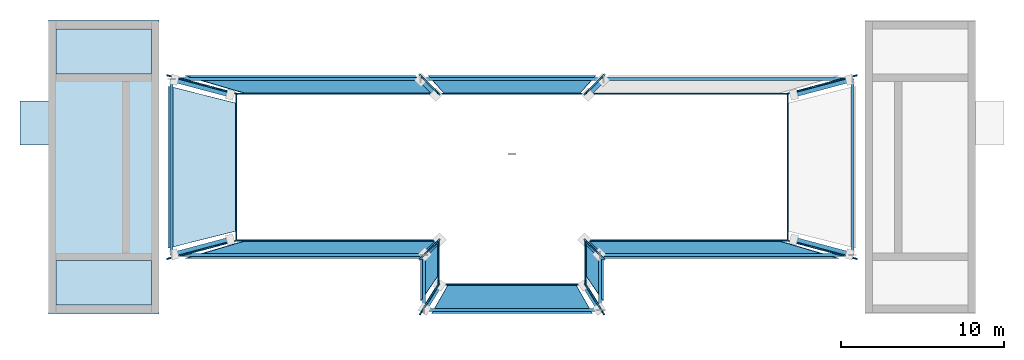
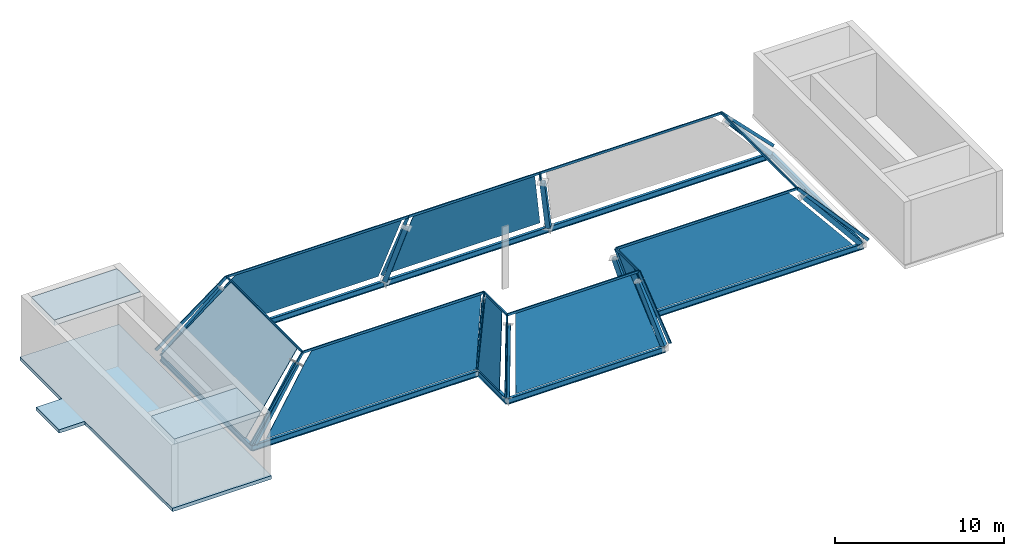
# One storey, part 1 of 5: 30 members, 10 beams, 8 plates, 3 slabs, 10 elements without a shape of their own.
"""IFC4 building model written with IfcOpenShell, lengths in metres."""

from ifc_helpers import new_model, si_unit, direction, frame, origin, origin_2d, place, context, subcontext, project, spatial, polyline, rectangle, hollow_rectangle, i_section, outline, extrude, material, layer, layer_set, material_profile, profile_set, type_object, element, aggregate, save


model = new_model("IFC4")

# Units and contexts
model_context = context("Model", 3, precision=1e-05, world=origin(), true_north=direction((0.0, 1.0)))
body_context = subcontext(model_context, "Body", "Model", "MODEL_VIEW")
ifc_project = project(units=[si_unit("LENGTHUNIT", "METRE"), si_unit("AREAUNIT", "SQUARE_METRE"), si_unit("VOLUMEUNIT", "CUBIC_METRE"), si_unit("PLANEANGLEUNIT", "RADIAN"), si_unit("MASSUNIT", "GRAM", prefix="KILO")], contexts=[model_context])

# Site, building, storey
site_placement = place(None, origin())
site = spatial("IfcSite", under=ifc_project, at=site_placement, CompositionType="ELEMENT")
building_placement = place(site_placement, origin())
building = spatial("IfcBuilding", under=site, at=building_placement, Name="Perihelion Cross Residences", CompositionType="ELEMENT")
storey_placement = place(building_placement, frame((0.0, 0.0, 303.300048828125)))
storey = spatial("IfcBuildingStorey", under=building, at=storey_placement, Name="L77", CompositionType="ELEMENT", Elevation=303.300048828125)

# Curtain wall, member
ifc_material_1 = material(Name="Bronze anodised aluminium, tinted glazing", Category="aluminium")
curtain_wall_type = type_object("IfcCurtainWallType", Name="CW6", PredefinedType="NOTDEFINED", material=ifc_material_1)
curtain_wall_1_placement = place(storey_placement, origin())
curtain_wall_1 = element("IfcCurtainWall", 1, at=curtain_wall_1_placement, inside=storey, type_object=curtain_wall_type, Name="Curtain wall CW6 L77 crown 1", PredefinedType="NOTDEFINED")
ifc_material_2 = material(Name="Bronze anodised aluminium", Category="aluminium")
ifc_material_profile_1 = material_profile(ifc_material_2, rectangle(XDim=0.080078125, YDim=0.199951171875, at=origin_2d()), Name="CW6 mullion")
ifc_profile_set_1 = profile_set([ifc_material_profile_1], Name="Bronze anodised aluminium")
member_type_1 = type_object("IfcMemberType", Name="CW6 mullion", PredefinedType="MULLION", material=ifc_profile_set_1)
member_1_placement = place(storey_placement, frame((21.057373046875, -5.60693359375, 0.0), z_axis=(-0.670596909896, 0.178557609083, 0.720011780929), x_axis=(-0.257301769061, -0.966331102489, 0.0)))
member_1 = element("IfcMember", 2, at=member_1_placement, type_object=member_type_1, Name="Mullion CW6-M L77 crown 1", PredefinedType="MULLION", context=body_context, shape_type="SweptSolid", body=[
    extrude(rectangle(XDim=0.080078125, YDim=0.199951171875, at=origin_2d()), origin(), (0.0, 0.0, 1.0), 6.25),
])

curtain_wall_2_placement = place(storey_placement, origin())
curtain_wall_2 = element("IfcCurtainWall", 3, at=curtain_wall_2_placement, inside=storey, type_object=curtain_wall_type, Name="Curtain wall CW6 L77 crown 2", PredefinedType="NOTDEFINED")
member_2_placement = place(storey_placement, frame((21.057373046875, 5.60693359375, 0.0), z_axis=(-0.670596909896, -0.178557609083, 0.720011780929), x_axis=(0.257301769061, -0.966331102489, 0.0)))
member_2 = element("IfcMember", 4, at=member_2_placement, type_object=member_type_1, Name="Mullion CW6-M L77 crown 2", PredefinedType="MULLION", context=body_context, shape_type="SweptSolid", body=[
    extrude(rectangle(XDim=0.080078125, YDim=0.199951171875, at=origin_2d()), origin(), (0.0, 0.0, 1.0), 6.25),
])

curtain_wall_3_placement = place(storey_placement, origin())
curtain_wall_3 = element("IfcCurtainWall", 5, at=curtain_wall_3_placement, inside=storey, type_object=curtain_wall_type, Name="Curtain wall CW6 L77 crown 3", PredefinedType="NOTDEFINED")
member_3_placement = place(storey_placement, frame((5.60693359375, 5.60693359375, 0.0), z_axis=(-0.234017723252, -0.234017723252, 0.943647927146), x_axis=(0.707106781187, -0.707106781187, 0.0)))
member_3 = element("IfcMember", 6, at=member_3_placement, type_object=member_type_1, Name="Mullion CW6-M L77 crown 3", PredefinedType="MULLION", context=body_context, shape_type="SweptSolid", body=[
    extrude(rectangle(XDim=0.080078125, YDim=0.199951171875, at=origin_2d()), origin(), (0.0, 0.0, 1.0), 4.768798828125),
])

curtain_wall_4_placement = place(storey_placement, origin())
curtain_wall_4 = element("IfcCurtainWall", 7, at=curtain_wall_4_placement, inside=storey, type_object=curtain_wall_type, Name="Curtain wall CW6 L77 crown 4", PredefinedType="NOTDEFINED")
member_4_placement = place(storey_placement, frame((-5.60693359375, 5.60693359375, 0.0), z_axis=(0.234017723252, -0.234017723252, 0.943647927146), x_axis=(0.707106781187, 0.707106781187, 0.0)))
member_4 = element("IfcMember", 8, at=member_4_placement, type_object=member_type_1, Name="Mullion CW6-M L77 crown 4", PredefinedType="MULLION", context=body_context, shape_type="SweptSolid", body=[
    extrude(rectangle(XDim=0.080078125, YDim=0.199951171875, at=origin_2d()), origin(), (0.0, 0.0, 1.0), 4.768798828125),
])

curtain_wall_5_placement = place(storey_placement, origin())
curtain_wall_5 = element("IfcCurtainWall", 9, at=curtain_wall_5_placement, inside=storey, type_object=curtain_wall_type, Name="Curtain wall CW6 L77 crown 5", PredefinedType="NOTDEFINED")
member_5_placement = place(storey_placement, frame((-21.057373046875, 5.60693359375, 0.0), z_axis=(0.670596909896, -0.178557609083, 0.720011780929), x_axis=(0.257301769061, 0.966331102489, 0.0)))
member_5 = element("IfcMember", 10, at=member_5_placement, type_object=member_type_1, Name="Mullion CW6-M L77 crown 5", PredefinedType="MULLION", context=body_context, shape_type="SweptSolid", body=[
    extrude(rectangle(XDim=0.080078125, YDim=0.199951171875, at=origin_2d()), origin(), (0.0, 0.0, 1.0), 6.25),
])

curtain_wall_6_placement = place(storey_placement, origin())
curtain_wall_6 = element("IfcCurtainWall", 11, at=curtain_wall_6_placement, inside=storey, type_object=curtain_wall_type, Name="Curtain wall CW6 L77 crown 6", PredefinedType="NOTDEFINED")
member_6_placement = place(storey_placement, frame((-21.057373046875, -5.60693359375, 0.0), z_axis=(0.670596909896, 0.178557609083, 0.720011780929), x_axis=(-0.257301769061, 0.966331102489, 0.0)))
member_6 = element("IfcMember", 12, at=member_6_placement, type_object=member_type_1, Name="Mullion CW6-M L77 crown 6", PredefinedType="MULLION", context=body_context, shape_type="SweptSolid", body=[
    extrude(rectangle(XDim=0.080078125, YDim=0.199951171875, at=origin_2d()), origin(), (0.0, 0.0, 1.0), 6.25),
])

curtain_wall_7_placement = place(storey_placement, origin())
curtain_wall_7 = element("IfcCurtainWall", 13, at=curtain_wall_7_placement, inside=storey, type_object=curtain_wall_type, Name="Curtain wall CW6 L77 crown 7", PredefinedType="NOTDEFINED")
member_7_placement = place(storey_placement, frame((-5.60693359375, -5.60693359375, 0.0), z_axis=(0.234017723252, 0.234017723252, 0.943647927146), x_axis=(-0.707106781187, 0.707106781187, 0.0)))
member_7 = element("IfcMember", 14, at=member_7_placement, type_object=member_type_1, Name="Mullion CW6-M L77 crown 7", PredefinedType="MULLION", context=body_context, shape_type="SweptSolid", body=[
    extrude(rectangle(XDim=0.080078125, YDim=0.199951171875, at=origin_2d()), origin(), (0.0, 0.0, 1.0), 4.768798828125),
])

curtain_wall_8_placement = place(storey_placement, origin())
curtain_wall_8 = element("IfcCurtainWall", 15, at=curtain_wall_8_placement, inside=storey, type_object=curtain_wall_type, Name="Curtain wall CW6 L77 crown 8", PredefinedType="NOTDEFINED")
member_8_placement = place(storey_placement, frame((-5.60693359375, -8.97119140625, 0.0), z_axis=(0.224617873452, 0.35940825343, 0.905744179276), x_axis=(-0.848011331117, 0.529978096054, 0.0)))
member_8 = element("IfcMember", 16, at=member_8_placement, type_object=member_type_1, Name="Mullion CW6-M L77 crown 8", PredefinedType="MULLION", context=body_context, shape_type="SweptSolid", body=[
    extrude(rectangle(XDim=0.080078125, YDim=0.199951171875, at=origin_2d()), origin(), (0.0, 0.0, 1.0), 4.96826171875),
])

curtain_wall_9_placement = place(storey_placement, origin())
curtain_wall_9 = element("IfcCurtainWall", 17, at=curtain_wall_9_placement, inside=storey, type_object=curtain_wall_type, Name="Curtain wall CW6 L77 crown 9", PredefinedType="NOTDEFINED")
member_9_placement = place(storey_placement, frame((5.60693359375, -8.97119140625, 0.0), z_axis=(-0.224617873452, 0.35940825343, 0.905744179276), x_axis=(-0.848011331117, -0.529978096054, 0.0)))
member_9 = element("IfcMember", 18, at=member_9_placement, type_object=member_type_1, Name="Mullion CW6-M L77 crown 9", PredefinedType="MULLION", context=body_context, shape_type="SweptSolid", body=[
    extrude(rectangle(XDim=0.080078125, YDim=0.199951171875, at=origin_2d()), origin(), (0.0, 0.0, 1.0), 4.96826171875),
])

curtain_wall_10_placement = place(storey_placement, origin())
curtain_wall_10 = element("IfcCurtainWall", 19, at=curtain_wall_10_placement, inside=storey, type_object=curtain_wall_type, Name="Curtain wall CW6 L77 crown 10", PredefinedType="NOTDEFINED")
member_10_placement = place(storey_placement, frame((5.60693359375, -5.60693359375, 0.0), z_axis=(-0.234017723252, 0.234017723252, 0.943647927146), x_axis=(-0.707106781187, -0.707106781187, 0.0)))
member_10 = element("IfcMember", 20, at=member_10_placement, type_object=member_type_1, Name="Mullion CW6-M L77 crown 10", PredefinedType="MULLION", context=body_context, shape_type="SweptSolid", body=[
    extrude(rectangle(XDim=0.080078125, YDim=0.199951171875, at=origin_2d()), origin(), (0.0, 0.0, 1.0), 4.768798828125),
])

# Member
ifc_material_3 = material(Name="Bronze anodised aluminium", Category="aluminium")
ifc_material_profile_2 = material_profile(ifc_material_3, rectangle(XDim=0.080078125, YDim=0.159912109375, at=origin_2d()), Name="CW6 transom")
ifc_profile_set_2 = profile_set([ifc_material_profile_2], Name="Bronze anodised aluminium")
member_type_2 = type_object("IfcMemberType", Name="CW6 transom", PredefinedType="USERDEFINED", material=ifc_profile_set_2)
member_11_placement = place(storey_placement, frame((16.8662109375, -4.490966796875, 4.5), z_axis=(0.0, 1.0, 0.0), x_axis=(-1.0, 0.0, 0.0)))
member_11 = element("IfcMember", 21, at=member_11_placement, type_object=member_type_2, Name="Transom CW6-T L77 crown 1 top", ObjectType="TRANSOM", PredefinedType="USERDEFINED", context=body_context, shape_type="SweptSolid", body=[
    extrude(rectangle(XDim=0.080078125, YDim=0.159912109375, at=origin_2d()), origin(), (0.0, 0.0, 1.0), 8.98193359375),
])

aggregate(curtain_wall_1, [member_1, member_11])

member_12_placement = place(storey_placement, frame((16.8662109375, 4.490966796875, 4.5), z_axis=(-1.0, 0.0, 0.0), x_axis=(0.0, -1.0, 0.0)))
member_12 = element("IfcMember", 22, at=member_12_placement, type_object=member_type_2, Name="Transom CW6-T L77 crown 2 top", ObjectType="TRANSOM", PredefinedType="USERDEFINED", context=body_context, shape_type="SweptSolid", body=[
    extrude(rectangle(XDim=0.080078125, YDim=0.159912109375, at=origin_2d()), origin(), (0.0, 0.0, 1.0), 12.375244140625),
])

aggregate(curtain_wall_2, [member_2, member_12])

member_13_placement = place(storey_placement, frame((4.490966796875, 4.490966796875, 4.5), z_axis=(-1.0, 0.0, 0.0), x_axis=(0.0, -1.0, 0.0)))
member_13 = element("IfcMember", 23, at=member_13_placement, type_object=member_type_2, Name="Transom CW6-T L77 crown 3 top", ObjectType="TRANSOM", PredefinedType="USERDEFINED", context=body_context, shape_type="SweptSolid", body=[
    extrude(rectangle(XDim=0.080078125, YDim=0.159912109375, at=origin_2d()), origin(), (0.0, 0.0, 1.0), 8.98193359375),
])

member_14_placement = place(storey_placement, frame((-4.490966796875, 4.490966796875, 4.5), z_axis=(-1.0, 0.0, 0.0), x_axis=(0.0, -1.0, 0.0)))
member_14 = element("IfcMember", 24, at=member_14_placement, type_object=member_type_2, Name="Transom CW6-T L77 crown 4 top", ObjectType="TRANSOM", PredefinedType="USERDEFINED", context=body_context, shape_type="SweptSolid", body=[
    extrude(rectangle(XDim=0.080078125, YDim=0.159912109375, at=origin_2d()), origin(), (0.0, 0.0, 1.0), 12.375244140625),
])

member_15_placement = place(storey_placement, frame((-16.8662109375, 4.490966796875, 4.5), z_axis=(0.0, -1.0, 0.0), x_axis=(1.0, 0.0, 0.0)))
member_15 = element("IfcMember", 25, at=member_15_placement, type_object=member_type_2, Name="Transom CW6-T L77 crown 5 top", ObjectType="TRANSOM", PredefinedType="USERDEFINED", context=body_context, shape_type="SweptSolid", body=[
    extrude(rectangle(XDim=0.080078125, YDim=0.159912109375, at=origin_2d()), origin(), (0.0, 0.0, 1.0), 8.98193359375),
])

member_16_placement = place(storey_placement, frame((-16.8662109375, -4.490966796875, 4.5), z_axis=(1.0, 0.0, 0.0), x_axis=(0.0, 1.0, 0.0)))
member_16 = element("IfcMember", 26, at=member_16_placement, type_object=member_type_2, Name="Transom CW6-T L77 crown 6 top", ObjectType="TRANSOM", PredefinedType="USERDEFINED", context=body_context, shape_type="SweptSolid", body=[
    extrude(rectangle(XDim=0.080078125, YDim=0.159912109375, at=origin_2d()), origin(), (0.0, 0.0, 1.0), 12.375244140625),
])

member_17_placement = place(storey_placement, frame((-4.490966796875, -4.490966796875, 4.5), z_axis=(0.0, -1.0, 0.0), x_axis=(1.0, 0.0, 0.0)))
member_17 = element("IfcMember", 27, at=member_17_placement, type_object=member_type_2, Name="Transom CW6-T L77 crown 7 top", ObjectType="TRANSOM", PredefinedType="USERDEFINED", context=body_context, shape_type="SweptSolid", body=[
    extrude(rectangle(XDim=0.080078125, YDim=0.159912109375, at=origin_2d()), origin(), (0.0, 0.0, 1.0), 2.694580078125),
])

member_18_placement = place(storey_placement, frame((-4.490966796875, -7.185546875, 4.5), z_axis=(1.0, 0.0, 0.0), x_axis=(0.0, 1.0, 0.0)))
member_18 = element("IfcMember", 28, at=member_18_placement, type_object=member_type_2, Name="Transom CW6-T L77 crown 8 top", ObjectType="TRANSOM", PredefinedType="USERDEFINED", context=body_context, shape_type="SweptSolid", body=[
    extrude(rectangle(XDim=0.080078125, YDim=0.159912109375, at=origin_2d()), origin(), (0.0, 0.0, 1.0), 8.98193359375),
])

member_19_placement = place(storey_placement, frame((4.490966796875, -7.185546875, 4.5), z_axis=(0.0, 1.0, 0.0), x_axis=(-1.0, 0.0, 0.0)))
member_19 = element("IfcMember", 29, at=member_19_placement, type_object=member_type_2, Name="Transom CW6-T L77 crown 9 top", ObjectType="TRANSOM", PredefinedType="USERDEFINED", context=body_context, shape_type="SweptSolid", body=[
    extrude(rectangle(XDim=0.080078125, YDim=0.159912109375, at=origin_2d()), origin(), (0.0, 0.0, 1.0), 2.694580078125),
])

member_20_placement = place(storey_placement, frame((4.490966796875, -4.490966796875, 4.5), z_axis=(1.0, 0.0, 0.0), x_axis=(0.0, 1.0, 0.0)))
member_20 = element("IfcMember", 30, at=member_20_placement, type_object=member_type_2, Name="Transom CW6-T L77 crown 10 top", ObjectType="TRANSOM", PredefinedType="USERDEFINED", context=body_context, shape_type="SweptSolid", body=[
    extrude(rectangle(XDim=0.080078125, YDim=0.159912109375, at=origin_2d()), origin(), (0.0, 0.0, 1.0), 12.375244140625),
])

# Members
ifc_material_4 = material(Name="Steel S355", Category="steel")
ifc_material_profile_3 = material_profile(ifc_material_4, hollow_rectangle(XDim=0.304931640625, YDim=0.304931640625, WallThickness=0.0126953125, at=origin_2d()), Name="HSS304.8x304.8x12.7")
ifc_profile_set_3 = profile_set([ifc_material_profile_3], Name="Steel S355")
member_type_3 = type_object("IfcMemberType", Name="Crown leg HSS304.8x304.8x12.7", PredefinedType="BRACE", material=ifc_profile_set_3)
for number, where, z_axis, x_axis, name in (
    (31, (20.659912109375, -5.337646484375, -0.25), (-0.632436387506, 0.168405571768, 0.756084505301), (-0.257314379102, -0.966327744767, 0.0), "Crown leg CR3 L77 1 no. 1"),
    (32, (20.659912109375, 5.337646484375, -0.25), (-0.632436387506, -0.168405571768, 0.756084505301), (0.257314379102, -0.966327744767, 0.0), "Crown leg CR3 L77 2 no. 1"),
):
    element("IfcMember", number, at=place(storey_placement, frame(where, z_axis=z_axis, x_axis=x_axis)), inside=storey, type_object=member_type_3, Name=name, PredefinedType="BRACE", context=body_context, shape_type="SweptSolid", body=[
        extrude(hollow_rectangle(XDim=0.304931640625, YDim=0.304931640625, WallThickness=0.0126953125, at=origin_2d()), origin(), (0.0, 0.0, 1.0), 5.400146484375),
    ])
for number, where, z_axis, x_axis, name in (
    (33, (5.560546875, 5.337646484375, -0.25), (-0.212443609459, -0.212443609459, 0.95380051667), (0.707106781187, -0.707106781187, 0.0), "Crown leg CR3 L77 3 no. 1"),
    (34, (-5.560546875, 5.337646484375, -0.25), (0.212443609459, -0.212443609459, 0.95380051667), (0.707106781187, 0.707106781187, 0.0), "Crown leg CR3 L77 4 no. 1"),
):
    element("IfcMember", number, at=place(storey_placement, frame(where, z_axis=z_axis, x_axis=x_axis)), inside=storey, type_object=member_type_3, Name=name, PredefinedType="BRACE", context=body_context, shape_type="SweptSolid", body=[
        extrude(hollow_rectangle(XDim=0.304931640625, YDim=0.304931640625, WallThickness=0.0126953125, at=origin_2d()), origin(), (0.0, 0.0, 1.0), 4.28076171875),
    ])
for number, where, z_axis, x_axis, name in (
    (35, (-20.659912109375, 5.337646484375, -0.25), (0.632436387506, -0.168405571768, 0.756084505301), (0.257314379102, 0.966327744767, 0.0), "Crown leg CR3 L77 5 no. 1"),
    (36, (-20.659912109375, -5.337646484375, -0.25), (0.632436387506, 0.168405571768, 0.756084505301), (-0.257314379102, 0.966327744767, 0.0), "Crown leg CR3 L77 6 no. 1"),
):
    element("IfcMember", number, at=place(storey_placement, frame(where, z_axis=z_axis, x_axis=x_axis)), inside=storey, type_object=member_type_3, Name=name, PredefinedType="BRACE", context=body_context, shape_type="SweptSolid", body=[
        extrude(hollow_rectangle(XDim=0.304931640625, YDim=0.304931640625, WallThickness=0.0126953125, at=origin_2d()), origin(), (0.0, 0.0, 1.0), 5.400146484375),
    ])
member_21_placement = place(storey_placement, frame((-5.337646484375, -5.337646484375, -0.25), z_axis=(0.212443609459, 0.212443609459, 0.95380051667), x_axis=(-0.707106781187, 0.707106781187, 0.0)))
element("IfcMember", 37, at=member_21_placement, inside=storey, type_object=member_type_3, Name="Crown leg CR3 L77 7 no. 1", PredefinedType="BRACE", context=body_context, shape_type="SweptSolid", body=[
    extrude(hollow_rectangle(XDim=0.304931640625, YDim=0.304931640625, WallThickness=0.0126953125, at=origin_2d()), origin(), (0.0, 0.0, 1.0), 4.28076171875),
])
for number, where, z_axis, x_axis, name in (
    (38, (-5.337646484375, -8.673828125, -0.25), (0.205338000868, 0.328540801389, 0.921898718527), (-0.847998304005, 0.529998940003, 0.0), "Crown leg CR3 L77 8 no. 1"),
    (39, (5.337646484375, -8.673828125, -0.25), (-0.205338000868, 0.328540801389, 0.921898718527), (-0.847998304005, -0.529998940003, 0.0), "Crown leg CR3 L77 9 no. 1"),
):
    element("IfcMember", number, at=place(storey_placement, frame(where, z_axis=z_axis, x_axis=x_axis)), inside=storey, type_object=member_type_3, Name=name, PredefinedType="BRACE", context=body_context, shape_type="SweptSolid", body=[
        extrude(hollow_rectangle(XDim=0.304931640625, YDim=0.304931640625, WallThickness=0.0126953125, at=origin_2d()), origin(), (0.0, 0.0, 1.0), 4.428955078125),
    ])
member_22_placement = place(storey_placement, frame((5.337646484375, -5.337646484375, -0.25), z_axis=(-0.212443609459, 0.212443609459, 0.95380051667), x_axis=(-0.707106781187, -0.707106781187, 0.0)))
element("IfcMember", 40, at=member_22_placement, inside=storey, type_object=member_type_3, Name="Crown leg CR3 L77 10 no. 1", PredefinedType="BRACE", context=body_context, shape_type="SweptSolid", body=[
    extrude(hollow_rectangle(XDim=0.304931640625, YDim=0.304931640625, WallThickness=0.0126953125, at=origin_2d()), origin(), (0.0, 0.0, 1.0), 4.28076171875),
])

# Beams
ifc_material_5 = material(Name="Steel S355", Category="steel")
ifc_material_profile_4 = material_profile(ifc_material_5, i_section(OverallWidth=0.180908203125, OverallDepth=0.4169921875, WebThickness=0.010986328125, FlangeThickness=0.018310546875, at=origin_2d()), Name="W410x85")
ifc_profile_set_4 = profile_set([ifc_material_profile_4], Name="Steel S355")
beam_type = type_object("IfcBeamType", Name="Crown ring beam W410x85", PredefinedType="BEAM", material=ifc_profile_set_4)
beam_1_placement = place(storey_placement, frame((20.833251953125, -5.3828125, -0.45849609375), z_axis=(0.0, 1.0, 0.0), x_axis=(-1.0, 0.0, 0.0)))
element("IfcBeam", 41, at=beam_1_placement, inside=storey, type_object=beam_type, Name="Crown ring beam CB1 L77 no. 1", PredefinedType="BEAM", context=body_context, shape_type="SweptSolid", body=[
    extrude(i_section(OverallWidth=0.180908203125, OverallDepth=0.4169921875, WebThickness=0.010986328125, FlangeThickness=0.018310546875, at=origin_2d()), origin(), (0.0, 0.0, 1.0), 10.765625),
])
beam_2_placement = place(storey_placement, frame((20.833251953125, 5.3828125, -0.45849609375), z_axis=(-1.0, 0.0, 0.0), x_axis=(0.0, -1.0, 0.0)))
element("IfcBeam", 42, at=beam_2_placement, inside=storey, type_object=beam_type, Name="Crown ring beam CB1 L77 no. 2", PredefinedType="BEAM", context=body_context, shape_type="SweptSolid", body=[
    extrude(i_section(OverallWidth=0.180908203125, OverallDepth=0.4169921875, WebThickness=0.010986328125, FlangeThickness=0.018310546875, at=origin_2d()), origin(), (0.0, 0.0, 1.0), 15.226318359375),
])
beam_3_placement = place(storey_placement, frame((5.60693359375, 5.3828125, -0.45849609375), z_axis=(-1.0, 0.0, 0.0), x_axis=(0.0, -1.0, 0.0)))
element("IfcBeam", 43, at=beam_3_placement, inside=storey, type_object=beam_type, Name="Crown ring beam CB1 L77 no. 3", PredefinedType="BEAM", context=body_context, shape_type="SweptSolid", body=[
    extrude(i_section(OverallWidth=0.180908203125, OverallDepth=0.4169921875, WebThickness=0.010986328125, FlangeThickness=0.018310546875, at=origin_2d()), origin(), (0.0, 0.0, 1.0), 11.2138671875),
])
beam_4_placement = place(storey_placement, frame((-5.60693359375, 5.3828125, -0.45849609375), z_axis=(-1.0, 0.0, 0.0), x_axis=(0.0, -1.0, 0.0)))
element("IfcBeam", 44, at=beam_4_placement, inside=storey, type_object=beam_type, Name="Crown ring beam CB1 L77 no. 4", PredefinedType="BEAM", context=body_context, shape_type="SweptSolid", body=[
    extrude(i_section(OverallWidth=0.180908203125, OverallDepth=0.4169921875, WebThickness=0.010986328125, FlangeThickness=0.018310546875, at=origin_2d()), origin(), (0.0, 0.0, 1.0), 15.226318359375),
])
beam_5_placement = place(storey_placement, frame((-20.833251953125, 5.3828125, -0.45849609375), z_axis=(0.0, -1.0, 0.0), x_axis=(1.0, 0.0, 0.0)))
element("IfcBeam", 45, at=beam_5_placement, inside=storey, type_object=beam_type, Name="Crown ring beam CB1 L77 no. 5", PredefinedType="BEAM", context=body_context, shape_type="SweptSolid", body=[
    extrude(i_section(OverallWidth=0.180908203125, OverallDepth=0.4169921875, WebThickness=0.010986328125, FlangeThickness=0.018310546875, at=origin_2d()), origin(), (0.0, 0.0, 1.0), 10.765625),
])
beam_6_placement = place(storey_placement, frame((-20.833251953125, -5.3828125, -0.45849609375), z_axis=(1.0, 0.0, 0.0), x_axis=(0.0, 1.0, 0.0)))
element("IfcBeam", 46, at=beam_6_placement, inside=storey, type_object=beam_type, Name="Crown ring beam CB1 L77 no. 6", PredefinedType="BEAM", context=body_context, shape_type="SweptSolid", body=[
    extrude(i_section(OverallWidth=0.180908203125, OverallDepth=0.4169921875, WebThickness=0.010986328125, FlangeThickness=0.018310546875, at=origin_2d()), origin(), (0.0, 0.0, 1.0), 15.450439453125),
])
beam_7_placement = place(storey_placement, frame((-5.3828125, -5.3828125, -0.45849609375), z_axis=(0.0, -1.0, 0.0), x_axis=(1.0, 0.0, 0.0)))
element("IfcBeam", 47, at=beam_7_placement, inside=storey, type_object=beam_type, Name="Crown ring beam CB1 L77 no. 7", PredefinedType="BEAM", context=body_context, shape_type="SweptSolid", body=[
    extrude(i_section(OverallWidth=0.180908203125, OverallDepth=0.4169921875, WebThickness=0.010986328125, FlangeThickness=0.018310546875, at=origin_2d()), origin(), (0.0, 0.0, 1.0), 3.3642578125),
])
beam_8_placement = place(storey_placement, frame((-5.3828125, -8.7470703125, -0.45849609375), z_axis=(1.0, 0.0, 0.0), x_axis=(0.0, 1.0, 0.0)))
element("IfcBeam", 48, at=beam_8_placement, inside=storey, type_object=beam_type, Name="Crown ring beam CB1 L77 no. 8", PredefinedType="BEAM", context=body_context, shape_type="SweptSolid", body=[
    extrude(i_section(OverallWidth=0.180908203125, OverallDepth=0.4169921875, WebThickness=0.010986328125, FlangeThickness=0.018310546875, at=origin_2d()), origin(), (0.0, 0.0, 1.0), 10.765625),
])
beam_9_placement = place(storey_placement, frame((5.3828125, -8.7470703125, -0.45849609375), z_axis=(0.0, 1.0, 0.0), x_axis=(-1.0, 0.0, 0.0)))
element("IfcBeam", 49, at=beam_9_placement, inside=storey, type_object=beam_type, Name="Crown ring beam CB1 L77 no. 9", PredefinedType="BEAM", context=body_context, shape_type="SweptSolid", body=[
    extrude(i_section(OverallWidth=0.180908203125, OverallDepth=0.4169921875, WebThickness=0.010986328125, FlangeThickness=0.018310546875, at=origin_2d()), origin(), (0.0, 0.0, 1.0), 3.3642578125),
])
beam_10_placement = place(storey_placement, frame((5.3828125, -5.3828125, -0.45849609375), z_axis=(1.0, 0.0, 0.0), x_axis=(0.0, 1.0, 0.0)))
element("IfcBeam", 50, at=beam_10_placement, inside=storey, type_object=beam_type, Name="Crown ring beam CB1 L77 no. 10", PredefinedType="BEAM", context=body_context, shape_type="SweptSolid", body=[
    extrude(i_section(OverallWidth=0.180908203125, OverallDepth=0.4169921875, WebThickness=0.010986328125, FlangeThickness=0.018310546875, at=origin_2d()), origin(), (0.0, 0.0, 1.0), 15.450439453125),
])

# Plate
ifc_material_6 = material(Name="Tinted laminated glass", Category="glass")
ifc_layer_1 = layer(ifc_material_6, 0.033935546875)
ifc_layer_set_1 = layer_set([ifc_layer_1], Name="CW6 panel")
plate_type = type_object("IfcPlateType", Name="CW6 panel", PredefinedType="CURTAIN_PANEL", material=ifc_layer_set_1)
plate_1_placement = place(storey_placement, frame((-4.119384765625, 4.49951171875, 4.466064453125), z_axis=(0.0, 0.970598915139, 0.240702608898), x_axis=(-0.235589355087, 0.233927478531, -0.943279168941)))
plate_1 = element("IfcPlate", 51, at=plate_1_placement, type_object=plate_type, Name="Curtain wall panel CW6-P L77 crown 3", PredefinedType="CURTAIN_PANEL", context=body_context, shape_type="SweptSolid", body=[
    extrude(outline(polyline([(0.0, 0.0), (0.48291456635633995, -1.3877787807814457e-17), (4.67453167419007, -0.09942991498042797), (2.260200920007652, -10.05902186252558), (-1.5116576152126016, -8.228004801719335), (-1.9409664005774698, -8.00687035119732), (0.0, 0.0)])), origin(), (0.0, 0.0, -1.0), 0.033935546875),
])

aggregate(curtain_wall_3, [member_3, member_13, plate_1])

plate_2_placement = place(storey_placement, frame((-16.208251953125, 4.49951171875, 4.466064453125), z_axis=(-2.686388e-06, 0.970598839661, 0.240702913238), x_axis=(-0.671188466609, 0.178428129652, -0.719492491163)))
plate_2 = element("IfcPlate", 52, at=plate_2_placement, type_object=plate_type, Name="Curtain wall panel CW6-P L77 crown 4", PredefinedType="CURTAIN_PANEL", context=body_context, shape_type="SweptSolid", body=[
    extrude(outline(polyline([(0.0, 0.0), (0.8533428912873218, 5.551115123125783e-17), (5.925878536988634, -0.2586540200209706), (-3.5307343555930504, -10.702906512335622), (-7.18079152568227, -8.600785143482826), (-7.587412004248999, -8.379834052185847), (0.0, 0.0)])), origin(), (0.0, 0.0, -1.0), 0.033935546875),
])

aggregate(curtain_wall_4, [member_4, member_14, plate_2])

plate_3_placement = place(storey_placement, frame((-16.89013671875, -3.916015625, 4.474365234375), z_axis=(-0.731782173576, 0.0, 0.68153859057), x_axis=(-0.671707822804, -0.169235593563, -0.72122667356)))
plate_3 = element("IfcPlate", 53, at=plate_3_placement, type_object=plate_type, Name="Curtain wall panel CW6-P L77 crown 5", PredefinedType="CURTAIN_PANEL", context=body_context, shape_type="SweptSolid", body=[
    extrude(outline(polyline([(0.0, 0.0), (6.089248463792902, 2.220446049250313e-16), (6.088175492386359, -0.005265459759849045), (6.16504582339156, -0.01896047919197763), (4.492770087579801, -9.757775877744955), (4.415734487440261, -9.745043334509747), (4.4149894983690725, -9.75036511291604), (-1.3254584574008306, -7.719059099312633), (0.0, 0.0)])), origin(), (0.0, 0.0, -1.0), 0.033935546875),
])

aggregate(curtain_wall_5, [member_5, member_15, plate_3])

plate_4_placement = place(storey_placement, frame((-4.6826171875, -4.49951171875, 4.466064453125), z_axis=(1.754298e-06, -0.970599089447, 0.240701906021), x_axis=(-0.230620247838, -0.23421389797, -0.944435361094)))
plate_4 = element("IfcPlate", 54, at=plate_4_placement, type_object=plate_type, Name="Curtain wall panel CW6-P L77 crown 6", PredefinedType="CURTAIN_PANEL", context=body_context, shape_type="SweptSolid", body=[
    extrude(outline(polyline([(0.0, 0.0), (0.46473687808706626, -1.3877787807814457e-17), (4.6736274286785635, 0.0812438416092448), (7.974379725863382, -13.845446020737755), (3.405653460256518, -11.62637862834211), (2.65804474614148, -11.214947832142801), (0.0, 0.0)])), origin(), (0.0, 0.0, -1.0), 0.033935546875),
])

aggregate(curtain_wall_6, [member_6, member_16, plate_4])

plate_5_placement = place(storey_placement, frame((-4.49951171875, -6.589599609375, 4.466064453125), z_axis=(-0.970600671511, 2.6675714e-05, 0.240695524993), x_axis=(-0.224829733814, -0.357154962984, -0.906582551789)))
plate_5 = element("IfcPlate", 55, at=plate_5_placement, type_object=plate_type, Name="Curtain wall panel CW6-P L77 crown 7", PredefinedType="CURTAIN_PANEL", context=body_context, shape_type="SweptSolid", body=[
    extrude(outline(polyline([(0.0, 0.0), (0.5509578799243074, 2.7755575615628914e-17), (4.839042948782617, -0.13018509183072502), (3.9408365831339247, -2.4792082930179276), (-0.22042522642884232, -1.8426076497273562), (-0.6810882362956928, -1.781207671534146), (0.0, 0.0)])), origin(), (0.0, 0.0, -1.0), 0.033935546875),
])

aggregate(curtain_wall_7, [member_7, member_17, plate_5])

plate_6_placement = place(storey_placement, frame((3.9052734375, -7.198486328125, 4.467529296875), z_axis=(0.0, -0.929503118264, 0.368814252893), x_axis=(0.221661013626, -0.359639550048, -0.906380598358)))
plate_6 = element("IfcPlate", 56, at=plate_6_placement, type_object=plate_type, Name="Curtain wall panel CW6-P L77 crown 8", PredefinedType="CURTAIN_PANEL", context=body_context, shape_type="SweptSolid", body=[
    extrude(outline(polyline([(0.0, 0.0), (0.46920252031915277, 1.3877787807814457e-17), (4.876503935024024, -0.07323103174470402), (2.697667086726735, -9.658297879965174), (-1.308198439530734, -7.819083392850657), (-1.7312937372889288, -7.616250027526434), (0.0, 0.0)])), origin(), (0.0, 0.0, -1.0), 0.033935546875),
])

aggregate(curtain_wall_8, [member_8, member_18, plate_6])

plate_7_placement = place(storey_placement, frame((4.49951171875, -4.6826171875, 4.466064453125), z_axis=(0.970600671511, 2.6675714e-05, 0.240695524993), x_axis=(0.234213268092, -0.230620236447, -0.944435520081)))
plate_7 = element("IfcPlate", 57, at=plate_7_placement, type_object=plate_type, Name="Curtain wall panel CW6-P L77 crown 9", PredefinedType="CURTAIN_PANEL", context=body_context, shape_type="SweptSolid", body=[
    extrude(outline(polyline([(0.0, 0.0), (0.46473687808706626, -1.3877787807814457e-17), (4.673627429640258, 0.08124378724209846), (5.253612550646587, -2.365856932879343), (0.9859169381038553, -1.9283687906582598), (0.43978873703334037, -1.8555774900367517), (0.0, 0.0)])), origin(), (0.0, 0.0, -1.0), 0.033935546875),
])

aggregate(curtain_wall_9, [member_9, member_19, plate_7])

plate_8_placement = place(storey_placement, frame((16.208251953125, -4.49951171875, 4.466064453125), z_axis=(-1.754298e-06, -0.970599089447, 0.240701906021), x_axis=(0.671188466033, -0.178430276047, -0.719491959409)))
plate_8 = element("IfcPlate", 58, at=plate_8_placement, type_object=plate_type, Name="Curtain wall panel CW6-P L77 crown 10", PredefinedType="CURTAIN_PANEL", context=body_context, shape_type="SweptSolid", body=[
    extrude(outline(polyline([(0.0, 0.0), (0.8533428912873218, 5.551115123125783e-17), (5.9258785371534195, -0.25865401547332967), (-3.6805063829446856, -10.868320599126246), (-7.3287198585224544, -8.76786858461351), (-7.735873118397097, -8.543800316383571), (0.0, 0.0)])), origin(), (0.0, 0.0, -1.0), 0.033935546875),
])

aggregate(curtain_wall_10, [member_10, member_20, plate_8])

# Slabs
ifc_material_7 = material(Name="Concrete C40/50", Category="concrete")
ifc_layer_2 = layer(ifc_material_7, 0.25)
ifc_layer_set_2 = layer_set([ifc_layer_2], Name="Core roof slab 250")
slab_type_1 = type_object("IfcSlabType", Name="Core roof slab 250", PredefinedType="ROOF", material=ifc_layer_set_2)
slab_1_placement = place(storey_placement, frame((0.0, 0.0, -0.25)))
element("IfcSlab", 59, at=slab_1_placement, inside=storey, type_object=slab_type_1, Name="West core head-house and stack deck", PredefinedType="ROOF", context=body_context, shape_type="SweptSolid", body=[
    extrude(outline(polyline([(-28.35009765625, -9.0), (-21.60009765625, -9.0), (-21.60009765625, 9.0), (-28.35009765625, 9.0), (-28.35009765625, 4.050048828125), (-30.10009765625, 4.050048828125), (-30.10009765625, 1.35009765625), (-28.35009765625, 1.35009765625), (-28.35009765625, -9.0)])), origin(), (0.0, 0.0, 1.0), 0.25),
])
ifc_material_8 = material(Name="Concrete C50/60", Category="concrete")
ifc_layer_3 = layer(ifc_material_8, 0.39990234375)
ifc_layer_set_3 = layer_set([ifc_layer_3], Name="Stack roof slab 400")
slab_type_2 = type_object("IfcSlabType", Name="Stack roof slab 400", PredefinedType="ROOF", material=ifc_layer_set_3)
slab_2_placement = place(storey_placement, frame((0.0, 0.0, 4.099853515625)))
element("IfcSlab", 60, at=slab_2_placement, inside=storey, type_object=slab_type_2, Name="West core stack fan deck 1, step 1", PredefinedType="ROOF", context=body_context, shape_type="SweptSolid", body=[
    extrude(outline(polyline([(-27.89990234375, 5.699951171875), (-22.050048828125, 5.699951171875), (-22.050048828125, 8.449951171875), (-27.89990234375, 8.449951171875), (-27.89990234375, 5.699951171875)])), origin(), (0.0, 0.0, 1.0), 0.400146484375),
])
slab_3_placement = place(storey_placement, frame((0.0, 0.0, 4.099853515625)))
element("IfcSlab", 61, at=slab_3_placement, inside=storey, type_object=slab_type_2, Name="West core stack fan deck 2, step 1", PredefinedType="ROOF", context=body_context, shape_type="SweptSolid", body=[
    extrude(outline(polyline([(-27.89990234375, -8.449951171875), (-22.050048828125, -8.449951171875), (-22.050048828125, -5.699951171875), (-27.89990234375, -5.699951171875), (-27.89990234375, -8.449951171875)])), origin(), (0.0, 0.0, 1.0), 0.400146484375),
])

save(model, "model.ifc")
